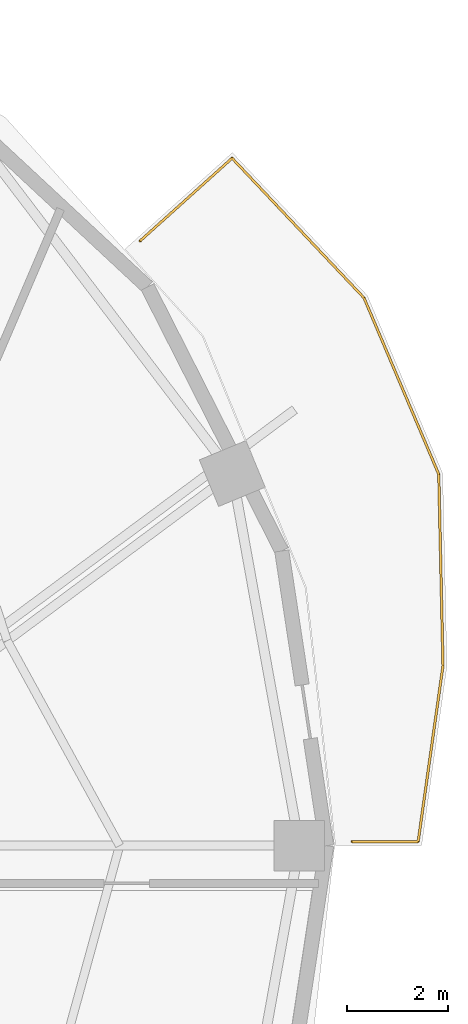
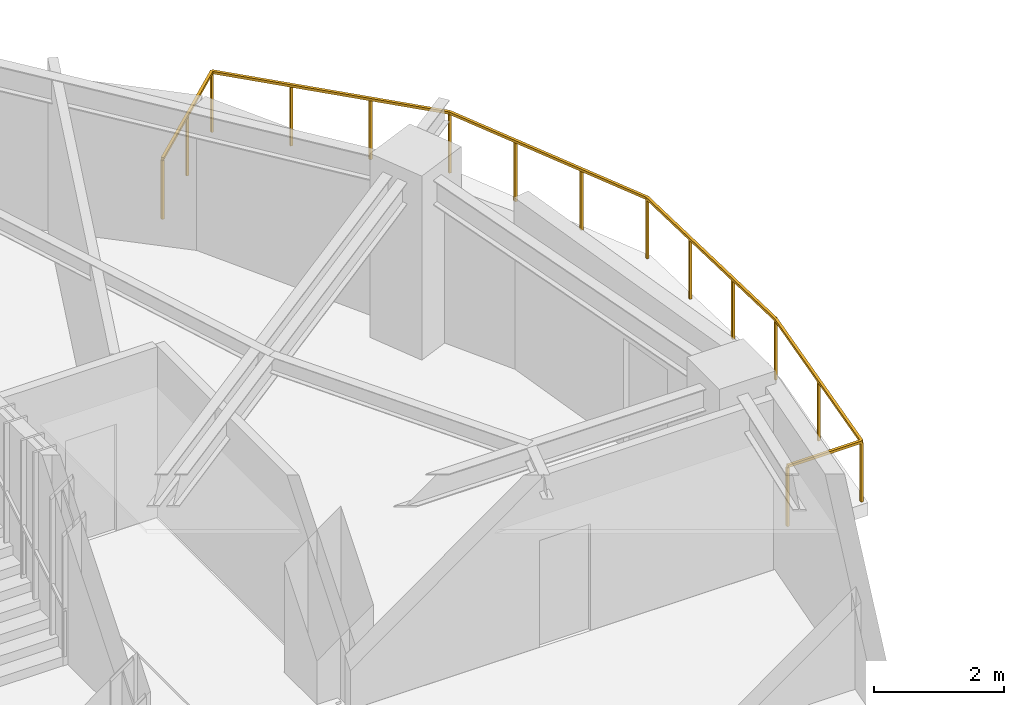
# One storey, part 10 of 10: 1 railing.
"""IFC4 building model written with IfcOpenShell, lengths in metres."""

from ifc_helpers import new_model, si_unit, direction, frame, origin, origin_2d, place, context, subcontext, project, spatial, rectangle, extrude, material, type_object, element, save


model = new_model("IFC4")

# Units and contexts
model_context = context("Model", 3, precision=1e-05, world=origin(), true_north=direction((0.0, 1.0)))
body_context = subcontext(model_context, "Body", "Model", "MODEL_VIEW")
ifc_project = project(units=[si_unit("LENGTHUNIT", "METRE"), si_unit("AREAUNIT", "SQUARE_METRE"), si_unit("VOLUMEUNIT", "CUBIC_METRE"), si_unit("PLANEANGLEUNIT", "RADIAN"), si_unit("MASSUNIT", "GRAM", prefix="KILO")], contexts=[model_context])

# Site, building, storey
site_placement = place(None, origin())
site = spatial("IfcSite", under=ifc_project, at=site_placement, CompositionType="ELEMENT")
building_placement = place(site_placement, origin())
building = spatial("IfcBuilding", under=site, at=building_placement, Name="Haldorwick Loom Tower", CompositionType="ELEMENT")
storey_placement = place(building_placement, frame((0.0, 0.0, 255.75)))
storey = spatial("IfcBuildingStorey", under=building, at=storey_placement, Name="L69", CompositionType="ELEMENT", Elevation=255.75)

# Railing
ifc_material = material(Name="Galvanized Steel CSA G40.21 350W", Category="steel")
railing_type = type_object("IfcRailingType", Name="ARC-RLG-BAL115", PredefinedType="BALUSTRADE", material=ifc_material)
railing_placement = place(storey_placement, frame((57.177978515625, 38.004638671875, 0.0)))
element("IfcRailing", 1, at=railing_placement, inside=storey, type_object=railing_type, Name="L69 Outdoor Terrace Guardrail SLB-L69-BAL_ENE-1", PredefinedType="BALUSTRADE", context=body_context, shape_type="SweptSolid", body=[
    extrude(rectangle(XDim=0.048095703125, YDim=0.048095703125, at=origin_2d()), frame((0.0, 0.0, 1.1259765625), z_axis=(0.74350700647, 0.668728144563, 0.0), x_axis=(-0.668728144563, 0.74350700647, 0.0)), (0.0, 0.0, 1.0), 2.451904296875),
    extrude(rectangle(XDim=0.048095703125, YDim=0.048095703125, at=origin_2d()), frame((1.822998046875, 1.6396484375, 1.1259765625), z_axis=(0.68661601203, -0.72702025558, 0.0), x_axis=(0.72702025558, 0.68661601203, 0.0)), (0.0, 0.0, 1.0), 3.812744140625),
    extrude(rectangle(XDim=0.048095703125, YDim=0.048095703125, at=origin_2d()), frame((4.44091796875, -1.13232421875, 1.1259765625), z_axis=(0.390058661454, -0.920790008973, 0.0), x_axis=(0.920790008973, 0.390058661454, 0.0)), (0.0, 0.0, 1.0), 3.80419921875),
    extrude(rectangle(XDim=0.048095703125, YDim=0.048095703125, at=origin_2d()), frame((5.9248046875, -4.63525390625, 1.1259765625), z_axis=(0.022039763709, -0.999757094906, 0.0), x_axis=(0.999757094906, 0.022039763709, 0.0)), (0.0, 0.0, 1.0), 3.799560546875),
    extrude(rectangle(XDim=0.048095703125, YDim=0.048095703125, at=origin_2d()), frame((6.008544921875, -8.433837890625, 1.1259765625), z_axis=(-0.139753531674, -0.990186321045, 0.0), x_axis=(0.990186321045, -0.139753531674, 0.0)), (0.0, 0.0, 1.0), 3.525390625),
    extrude(rectangle(XDim=0.048095703125, YDim=0.048095703125, at=origin_2d()), frame((5.515869140625, -11.924560546875, 1.1259765625), z_axis=(-1.0, 0.0, 0.0), x_axis=(0.0, -1.0, 0.0)), (0.0, 0.0, 1.0), 1.31396484375),
    extrude(rectangle(XDim=0.0419921875, YDim=0.0419921875, at=origin_2d()), origin(), (0.0, 0.0, 1.0), 1.101806640625),
    extrude(rectangle(XDim=0.0419921875, YDim=0.0419921875, at=origin_2d()), frame((0.91162109375, 0.81982421875, 0.0)), (0.0, 0.0, 1.0), 1.101806640625),
    extrude(rectangle(XDim=0.0419921875, YDim=0.0419921875, at=origin_2d()), frame((1.822998046875, 1.6396484375, 0.0)), (0.0, 0.0, 1.0), 1.101806640625),
    extrude(rectangle(XDim=0.0419921875, YDim=0.0419921875, at=origin_2d()), frame((2.695556640625, 0.715576171875, 0.0)), (0.0, 0.0, 1.0), 1.101806640625),
    extrude(rectangle(XDim=0.0419921875, YDim=0.0419921875, at=origin_2d()), frame((3.568359375, -0.208251953125, 0.0)), (0.0, 0.0, 1.0), 1.101806640625),
    extrude(rectangle(XDim=0.0419921875, YDim=0.0419921875, at=origin_2d()), frame((4.44091796875, -1.13232421875, 0.0)), (0.0, 0.0, 1.0), 1.101806640625),
    extrude(rectangle(XDim=0.0419921875, YDim=0.0419921875, at=origin_2d()), frame((4.935546875, -2.300048828125, 0.0)), (0.0, 0.0, 1.0), 1.101806640625),
    extrude(rectangle(XDim=0.0419921875, YDim=0.0419921875, at=origin_2d()), frame((5.43017578125, -3.467529296875, 0.0)), (0.0, 0.0, 1.0), 1.101806640625),
    extrude(rectangle(XDim=0.0419921875, YDim=0.0419921875, at=origin_2d()), frame((5.9248046875, -4.63525390625, 0.0)), (0.0, 0.0, 1.0), 1.101806640625),
    extrude(rectangle(XDim=0.0419921875, YDim=0.0419921875, at=origin_2d()), frame((5.95263671875, -5.9013671875, 0.0)), (0.0, 0.0, 1.0), 1.101806640625),
    extrude(rectangle(XDim=0.0419921875, YDim=0.0419921875, at=origin_2d()), frame((5.980712890625, -7.167724609375, 0.0)), (0.0, 0.0, 1.0), 1.101806640625),
    extrude(rectangle(XDim=0.0419921875, YDim=0.0419921875, at=origin_2d()), frame((6.008544921875, -8.433837890625, 0.0)), (0.0, 0.0, 1.0), 1.101806640625),
    extrude(rectangle(XDim=0.0419921875, YDim=0.0419921875, at=origin_2d()), frame((5.76220703125, -10.17919921875, 0.0)), (0.0, 0.0, 1.0), 1.101806640625),
    extrude(rectangle(XDim=0.0419921875, YDim=0.0419921875, at=origin_2d()), frame((5.515869140625, -11.924560546875, 0.0)), (0.0, 0.0, 1.0), 1.101806640625),
    extrude(rectangle(XDim=0.0419921875, YDim=0.0419921875, at=origin_2d()), frame((4.201904296875, -11.924560546875, 0.0)), (0.0, 0.0, 1.0), 1.101806640625),
])

save(model, "model.ifc")
